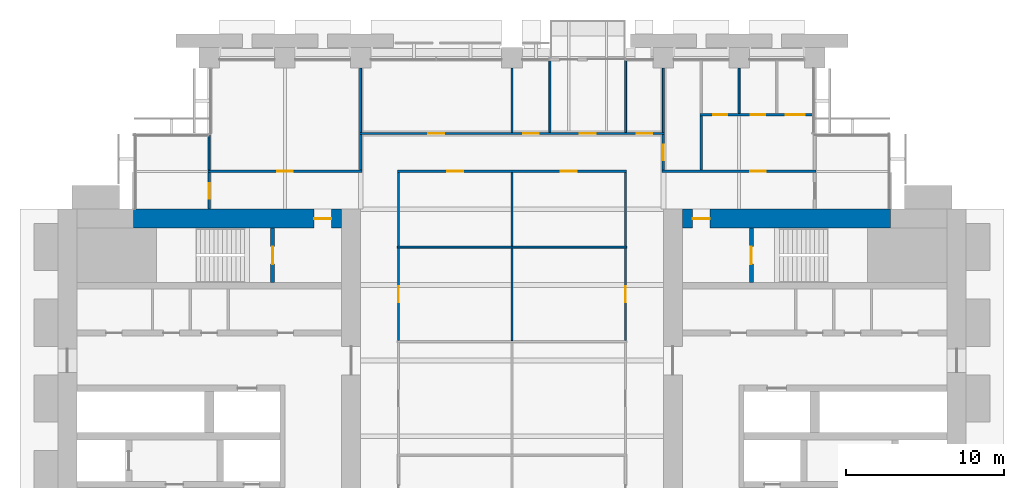
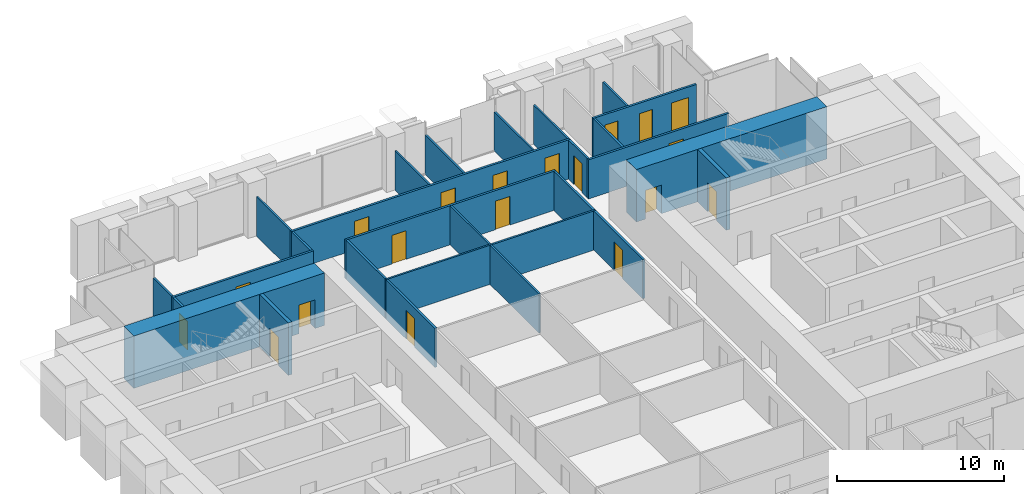
# One storey, part 12 of 15: 27 walls, 19 doors, 19 openings.
"""IFC4 building model written with IfcOpenShell, lengths in metres."""

from ifc_helpers import new_model, si_unit, direction, frame, frame_2d, origin, place, context, subcontext, project, spatial, rectangle, extrude, material, layer, layer_set, type_object, element, fill, save


model = new_model("IFC4")

# Units and contexts
model_context = context("Model", 3, precision=1e-05, world=origin(), true_north=direction((0.0, 1.0)))
body_context = subcontext(model_context, "Body", "Model", "MODEL_VIEW")
ifc_project = project(units=[si_unit("LENGTHUNIT", "METRE"), si_unit("AREAUNIT", "SQUARE_METRE"), si_unit("VOLUMEUNIT", "CUBIC_METRE"), si_unit("PLANEANGLEUNIT", "RADIAN"), si_unit("MASSUNIT", "GRAM", prefix="KILO")], contexts=[model_context])

# Site, building, storey
site_placement = place(None, origin())
site = spatial("IfcSite", under=ifc_project, at=site_placement, CompositionType="ELEMENT")
building_placement = place(site_placement, origin())
building = spatial("IfcBuilding", under=site, at=building_placement, Name="Baori Bourse Tower", CompositionType="ELEMENT")
storey_placement = place(building_placement, frame((0.0, 0.0, 59.0)))
storey = spatial("IfcBuildingStorey", under=building, at=storey_placement, Name="L12", CompositionType="ELEMENT", Elevation=59.0)

# Wall, opening, door
ifc_material_1 = material(Name="Concrete f'c 70 MPa", Category="concrete")
ifc_layer_1 = layer(ifc_material_1, 1.199951171875)
ifc_layer_set_1 = layer_set([ifc_layer_1], Name="Core wall 1200 f'c 70")
wall_type_1 = type_object("IfcWallType", Name="Core wall 1200 f'c 70", PredefinedType="SHEAR", material=ifc_layer_set_1)
wall_1_placement = place(storey_placement, frame((4.800048828125, 37.800048828125, 0.0), z_axis=(0.0, 0.0, 1.0), x_axis=(1.0, 0.0, 0.0)))
wall_1 = element("IfcWall", 1, at=wall_1_placement, inside=storey, type_object=wall_type_1, Name="Core wall W25", PredefinedType="SHEAR", context=body_context, shape_type="SweptSolid", body=[
    extrude(rectangle(XDim=13.199951171875, YDim=1.199951171875, at=frame_2d((6.60009765625, 0.0))), origin(), (0.0, 0.0, 1.0), 3.840087890625),
])
opening_1_placement = place(wall_1_placement, frame((11.449951171875, 0.0, 0.0)))
opening_1 = element("IfcOpeningElement", 2, at=opening_1_placement, cuts=wall_1, Name="Opening L12-D104", PredefinedType="OPENING", context=body_context, shape_type="SweptSolid", body=[
    extrude(rectangle(XDim=1.10009765625, YDim=2.10009765625, at=frame_2d((0.550048828125, 1.050048828125))), frame((0.0, 0.60986328125, 0.0), z_axis=(0.0, -1.0, 0.0), x_axis=(1.0, 0.0, 0.0)), (0.0, 0.0, 1.0), 1.219970703125),
])
ifc_material_2 = material(Name="Painted steel door", Category="steel")
door_type_1 = type_object("IfcDoorType", Name="Stair door 1100", OperationType="SINGLE_SWING_LEFT", PredefinedType="DOOR", material=ifc_material_2)
door_1_placement = place(opening_1_placement, origin())
door_1 = element("IfcDoor", 3, at=door_1_placement, inside=storey, type_object=door_type_1, Name="Stair vestibule door B W L12", OperationType="SINGLE_SWING_LEFT", OverallHeight=2.10009765625, OverallWidth=1.10009765625, PredefinedType="DOOR", context=body_context, shape_type="SweptSolid", body=[
    extrude(rectangle(XDim=1.10009765625, YDim=2.10009765625, at=frame_2d((0.550048828125, 1.050048828125))), frame((0.0, 0.02490234375, 0.0), z_axis=(0.0, -1.0, 0.0), x_axis=(1.0, 0.0, 0.0)), (0.0, 0.0, 1.0), 0.050048828125),
])
fill(opening_1, door_1)

wall_2_placement = place(storey_placement, frame((39.60009765625, 37.800048828125, 0.0), z_axis=(0.0, 0.0, 1.0), x_axis=(1.0, 0.0, 0.0)))
wall_2 = element("IfcWall", 4, at=wall_2_placement, inside=storey, type_object=wall_type_1, Name="Core wall E25", PredefinedType="SHEAR", context=body_context, shape_type="SweptSolid", body=[
    extrude(rectangle(XDim=13.199951171875, YDim=1.199951171875, at=frame_2d((6.60009765625, 0.0))), origin(), (0.0, 0.0, 1.0), 3.840087890625),
])
opening_2_placement = place(wall_2_placement, frame((0.64990234375, 0.0, 0.0)))
opening_2 = element("IfcOpeningElement", 5, at=opening_2_placement, cuts=wall_2, Name="Opening L12-D204", PredefinedType="OPENING", context=body_context, shape_type="SweptSolid", body=[
    extrude(rectangle(XDim=1.10009765625, YDim=2.10009765625, at=frame_2d((0.550048828125, 1.050048828125))), frame((0.0, 0.60986328125, 0.0), z_axis=(0.0, -1.0, 0.0), x_axis=(1.0, 0.0, 0.0)), (0.0, 0.0, 1.0), 1.219970703125),
])
door_2_placement = place(opening_2_placement, origin())
door_2 = element("IfcDoor", 6, at=door_2_placement, inside=storey, type_object=door_type_1, Name="Stair vestibule door B E L12", OperationType="SINGLE_SWING_LEFT", OverallHeight=2.10009765625, OverallWidth=1.10009765625, PredefinedType="DOOR", context=body_context, shape_type="SweptSolid", body=[
    extrude(rectangle(XDim=1.10009765625, YDim=2.10009765625, at=frame_2d((0.550048828125, 1.050048828125))), frame((0.0, 0.02490234375, 0.0), z_axis=(0.0, -1.0, 0.0), x_axis=(1.0, 0.0, 0.0)), (0.0, 0.0, 1.0), 0.050048828125),
])
fill(opening_2, door_2)

ifc_material_3 = material(Name="Gypsum board partition")
ifc_layer_2 = layer(ifc_material_3, 0.14990234375)
ifc_layer_set_2 = layer_set([ifc_layer_2], Name="Corridor partition 150")
wall_type_2 = type_object("IfcWallType", Name="Corridor partition 150", PredefinedType="PARTITIONING", material=ifc_layer_set_2)
wall_3_placement = place(storey_placement, frame((9.52490234375, 40.800048828125, 0.0), z_axis=(0.0, 0.0, 1.0), x_axis=(1.0, 0.0, 0.0)))
wall_3 = element("IfcWall", 7, at=wall_3_placement, inside=storey, type_object=wall_type_2, Name="Partition", PredefinedType="PARTITIONING", context=body_context, shape_type="SweptSolid", body=[
    extrude(rectangle(XDim=9.75, YDim=0.14990234375, at=frame_2d((4.875, 0.0))), origin(), (0.0, 0.0, 1.0), 2.86962890625),
])
opening_3_placement = place(wall_3_placement, frame((4.375, 0.0, 0.0)))
opening_3 = element("IfcOpeningElement", 8, at=opening_3_placement, cuts=wall_3, Name="Opening L12-D10", PredefinedType="OPENING", context=body_context, shape_type="SweptSolid", body=[
    extrude(rectangle(XDim=1.0, YDim=2.10009765625, at=frame_2d((0.5, 1.050048828125))), frame((0.0, 0.0849609375, 0.0), z_axis=(0.0, -1.0, 0.0), x_axis=(1.0, 0.0, 0.0)), (0.0, 0.0, 1.0), 0.169921875),
])
ifc_material_4 = material(Name="Timber door leaf", Category="wood")
door_type_2 = type_object("IfcDoorType", Name="Door 1000 x 2100", OperationType="SINGLE_SWING_LEFT", PredefinedType="DOOR", material=ifc_material_4)
door_3_placement = place(opening_3_placement, origin())
door_3 = element("IfcDoor", 9, at=door_3_placement, inside=storey, type_object=door_type_2, Name="Door", OperationType="SINGLE_SWING_LEFT", OverallHeight=2.10009765625, OverallWidth=1.0, PredefinedType="DOOR", context=body_context, shape_type="SweptSolid", body=[
    extrude(rectangle(XDim=1.0, YDim=2.10009765625, at=frame_2d((0.5, 1.050048828125))), frame((0.0, 0.02490234375, 0.0), z_axis=(0.0, -1.0, 0.0), x_axis=(1.0, 0.0, 0.0)), (0.0, 0.0, 1.0), 0.050048828125),
])
fill(opening_3, door_3)

# Wall, openings, doors
wall_4_placement = place(storey_placement, frame((21.52490234375, 40.800048828125, 0.0), z_axis=(0.0, 0.0, 1.0), x_axis=(1.0, 0.0, 0.0)))
wall_4 = element("IfcWall", 10, at=wall_4_placement, inside=storey, type_object=wall_type_2, Name="Partition", PredefinedType="PARTITIONING", context=body_context, shape_type="SweptSolid", body=[
    extrude(rectangle(XDim=14.550048828125, YDim=0.14990234375, at=frame_2d((7.27490234375, 0.0))), origin(), (0.0, 0.0, 1.0), 2.86962890625),
])
opening_4_placement = place(wall_4_placement, frame((3.175048828125, 0.0, 0.0)))
opening_4 = element("IfcOpeningElement", 11, at=opening_4_placement, cuts=wall_4, Name="Opening L12-D11", PredefinedType="OPENING", context=body_context, shape_type="SweptSolid", body=[
    extrude(rectangle(XDim=1.0, YDim=2.10009765625, at=frame_2d((0.5, 1.050048828125))), frame((0.0, 0.0849609375, 0.0), z_axis=(0.0, -1.0, 0.0), x_axis=(1.0, 0.0, 0.0)), (0.0, 0.0, 1.0), 0.169921875),
])
opening_5_placement = place(wall_4_placement, frame((10.375, 0.0, 0.0)))
opening_5 = element("IfcOpeningElement", 12, at=opening_5_placement, cuts=wall_4, Name="Opening L12-D12", PredefinedType="OPENING", context=body_context, shape_type="SweptSolid", body=[
    extrude(rectangle(XDim=1.0, YDim=2.10009765625, at=frame_2d((0.5, 1.050048828125))), frame((0.0, 0.0849609375, 0.0), z_axis=(0.0, -1.0, 0.0), x_axis=(1.0, 0.0, 0.0)), (0.0, 0.0, 1.0), 0.169921875),
])
door_4_placement = place(opening_4_placement, origin())
door_4 = element("IfcDoor", 13, at=door_4_placement, inside=storey, type_object=door_type_2, Name="Door", OperationType="SINGLE_SWING_LEFT", OverallHeight=2.10009765625, OverallWidth=1.0, PredefinedType="DOOR", context=body_context, shape_type="SweptSolid", body=[
    extrude(rectangle(XDim=1.0, YDim=2.10009765625, at=frame_2d((0.5, 1.050048828125))), frame((0.0, 0.02490234375, 0.0), z_axis=(0.0, -1.0, 0.0), x_axis=(1.0, 0.0, 0.0)), (0.0, 0.0, 1.0), 0.050048828125),
])
fill(opening_4, door_4)
door_5_placement = place(opening_5_placement, origin())
door_5 = element("IfcDoor", 14, at=door_5_placement, inside=storey, type_object=door_type_2, Name="Door", OperationType="SINGLE_SWING_RIGHT", OverallHeight=2.10009765625, OverallWidth=1.0, PredefinedType="DOOR", context=body_context, shape_type="SweptSolid", body=[
    extrude(rectangle(XDim=1.0, YDim=2.10009765625, at=frame_2d((0.5, 1.050048828125))), frame((0.0, 0.02490234375, 0.0), z_axis=(0.0, -1.0, 0.0), x_axis=(1.0, 0.0, 0.0)), (0.0, 0.0, 1.0), 0.050048828125),
])
fill(opening_5, door_5)

# Wall, opening, door
wall_5_placement = place(storey_placement, frame((38.324951171875, 40.800048828125, 0.0), z_axis=(0.0, 0.0, 1.0), x_axis=(1.0, 0.0, 0.0)))
wall_5 = element("IfcWall", 15, at=wall_5_placement, inside=storey, type_object=wall_type_2, Name="Partition", PredefinedType="PARTITIONING", context=body_context, shape_type="SweptSolid", body=[
    extrude(rectangle(XDim=9.75, YDim=0.14990234375, at=frame_2d((4.875, 0.0))), origin(), (0.0, 0.0, 1.0), 2.86962890625),
])
opening_6_placement = place(wall_5_placement, frame((5.574951171875, 0.0, 0.0)))
opening_6 = element("IfcOpeningElement", 16, at=opening_6_placement, cuts=wall_5, Name="Opening L12-D13", PredefinedType="OPENING", context=body_context, shape_type="SweptSolid", body=[
    extrude(rectangle(XDim=1.0, YDim=2.10009765625, at=frame_2d((0.5, 1.050048828125))), frame((0.0, 0.0849609375, 0.0), z_axis=(0.0, -1.0, 0.0), x_axis=(1.0, 0.0, 0.0)), (0.0, 0.0, 1.0), 0.169921875),
])
door_6_placement = place(opening_6_placement, origin())
door_6 = element("IfcDoor", 17, at=door_6_placement, inside=storey, type_object=door_type_2, Name="Door", OperationType="SINGLE_SWING_RIGHT", OverallHeight=2.10009765625, OverallWidth=1.0, PredefinedType="DOOR", context=body_context, shape_type="SweptSolid", body=[
    extrude(rectangle(XDim=1.0, YDim=2.10009765625, at=frame_2d((0.5, 1.050048828125))), frame((0.0, 0.02490234375, 0.0), z_axis=(0.0, -1.0, 0.0), x_axis=(1.0, 0.0, 0.0)), (0.0, 0.0, 1.0), 0.050048828125),
])
fill(opening_6, door_6)

# Wall, openings, doors
wall_6_placement = place(storey_placement, frame((19.125, 43.199951171875, 0.0), z_axis=(0.0, 0.0, 1.0), x_axis=(1.0, 0.0, 0.0)))
wall_6 = element("IfcWall", 18, at=wall_6_placement, inside=storey, type_object=wall_type_2, Name="Partition", PredefinedType="PARTITIONING", context=body_context, shape_type="SweptSolid", body=[
    extrude(rectangle(XDim=19.35009765625, YDim=0.14990234375, at=frame_2d((9.675048828125, 0.0))), origin(), (0.0, 0.0, 1.0), 2.86962890625),
])
opening_7_placement = place(wall_6_placement, frame((4.375, 0.0, 0.0)))
opening_7 = element("IfcOpeningElement", 19, at=opening_7_placement, cuts=wall_6, Name="Opening L12-D14", PredefinedType="OPENING", context=body_context, shape_type="SweptSolid", body=[
    extrude(rectangle(XDim=1.0, YDim=2.10009765625, at=frame_2d((0.5, 1.050048828125))), frame((0.0, 0.0849609375, 0.0), z_axis=(0.0, -1.0, 0.0), x_axis=(1.0, 0.0, 0.0)), (0.0, 0.0, 1.0), 0.169921875),
])
opening_8_placement = place(wall_6_placement, frame((10.375, 0.0, 0.0)))
opening_8 = element("IfcOpeningElement", 20, at=opening_8_placement, cuts=wall_6, Name="Opening L12-D15", PredefinedType="OPENING", context=body_context, shape_type="SweptSolid", body=[
    extrude(rectangle(XDim=1.0, YDim=2.10009765625, at=frame_2d((0.5, 1.050048828125))), frame((0.0, 0.0849609375, 0.0), z_axis=(0.0, -1.0, 0.0), x_axis=(1.0, 0.0, 0.0)), (0.0, 0.0, 1.0), 0.169921875),
])
opening_9_placement = place(wall_6_placement, frame((13.97509765625, 0.0, 0.0)))
opening_9 = element("IfcOpeningElement", 21, at=opening_9_placement, cuts=wall_6, Name="Opening L12-D16", PredefinedType="OPENING", context=body_context, shape_type="SweptSolid", body=[
    extrude(rectangle(XDim=1.0, YDim=2.10009765625, at=frame_2d((0.5, 1.050048828125))), frame((0.0, 0.0849609375, 0.0), z_axis=(0.0, -1.0, 0.0), x_axis=(1.0, 0.0, 0.0)), (0.0, 0.0, 1.0), 0.169921875),
])
opening_10_placement = place(wall_6_placement, frame((17.574951171875, 0.0, 0.0)))
opening_10 = element("IfcOpeningElement", 22, at=opening_10_placement, cuts=wall_6, Name="Opening L12-D17", PredefinedType="OPENING", context=body_context, shape_type="SweptSolid", body=[
    extrude(rectangle(XDim=1.0, YDim=2.10009765625, at=frame_2d((0.5, 1.050048828125))), frame((0.0, 0.0849609375, 0.0), z_axis=(0.0, -1.0, 0.0), x_axis=(1.0, 0.0, 0.0)), (0.0, 0.0, 1.0), 0.169921875),
])
door_7_placement = place(opening_7_placement, origin())
door_7 = element("IfcDoor", 23, at=door_7_placement, inside=storey, type_object=door_type_2, Name="Door", OperationType="SINGLE_SWING_RIGHT", OverallHeight=2.10009765625, OverallWidth=1.0, PredefinedType="DOOR", context=body_context, shape_type="SweptSolid", body=[
    extrude(rectangle(XDim=1.0, YDim=2.10009765625, at=frame_2d((0.5, 1.050048828125))), frame((0.0, 0.02490234375, 0.0), z_axis=(0.0, -1.0, 0.0), x_axis=(1.0, 0.0, 0.0)), (0.0, 0.0, 1.0), 0.050048828125),
])
fill(opening_7, door_7)
door_8_placement = place(opening_8_placement, origin())
door_8 = element("IfcDoor", 24, at=door_8_placement, inside=storey, type_object=door_type_2, Name="Door", OperationType="SINGLE_SWING_LEFT", OverallHeight=2.10009765625, OverallWidth=1.0, PredefinedType="DOOR", context=body_context, shape_type="SweptSolid", body=[
    extrude(rectangle(XDim=1.0, YDim=2.10009765625, at=frame_2d((0.5, 1.050048828125))), frame((0.0, 0.02490234375, 0.0), z_axis=(0.0, -1.0, 0.0), x_axis=(1.0, 0.0, 0.0)), (0.0, 0.0, 1.0), 0.050048828125),
])
fill(opening_8, door_8)
door_9_placement = place(opening_9_placement, origin())
door_9 = element("IfcDoor", 25, at=door_9_placement, inside=storey, type_object=door_type_2, Name="Door", OperationType="SINGLE_SWING_LEFT", OverallHeight=2.10009765625, OverallWidth=1.0, PredefinedType="DOOR", context=body_context, shape_type="SweptSolid", body=[
    extrude(rectangle(XDim=1.0, YDim=2.10009765625, at=frame_2d((0.5, 1.050048828125))), frame((0.0, 0.02490234375, 0.0), z_axis=(0.0, -1.0, 0.0), x_axis=(1.0, 0.0, 0.0)), (0.0, 0.0, 1.0), 0.050048828125),
])
fill(opening_9, door_9)
door_10_placement = place(opening_10_placement, origin())
door_10 = element("IfcDoor", 26, at=door_10_placement, inside=storey, type_object=door_type_2, Name="Door", OperationType="SINGLE_SWING_LEFT", OverallHeight=2.10009765625, OverallWidth=1.0, PredefinedType="DOOR", context=body_context, shape_type="SweptSolid", body=[
    extrude(rectangle(XDim=1.0, YDim=2.10009765625, at=frame_2d((0.5, 1.050048828125))), frame((0.0, 0.02490234375, 0.0), z_axis=(0.0, -1.0, 0.0), x_axis=(1.0, 0.0, 0.0)), (0.0, 0.0, 1.0), 0.050048828125),
])
fill(opening_10, door_10)

wall_7_placement = place(storey_placement, frame((40.72509765625, 44.39990234375, 0.0), z_axis=(0.0, 0.0, 1.0), x_axis=(1.0, 0.0, 0.0)))
wall_7 = element("IfcWall", 27, at=wall_7_placement, inside=storey, type_object=wall_type_2, Name="Partition", PredefinedType="PARTITIONING", context=body_context, shape_type="SweptSolid", body=[
    extrude(rectangle(XDim=7.1748046875, YDim=0.14990234375, at=frame_2d((3.58740234375, 0.0))), origin(), (0.0, 0.0, 1.0), 2.86962890625),
])
opening_11_placement = place(wall_7_placement, frame((0.824951171875, 0.0, 0.0)))
opening_11 = element("IfcOpeningElement", 28, at=opening_11_placement, cuts=wall_7, Name="Opening L12-D18", PredefinedType="OPENING", context=body_context, shape_type="SweptSolid", body=[
    extrude(rectangle(XDim=0.89990234375, YDim=2.10009765625, at=frame_2d((0.449951171875, 1.050048828125))), frame((0.0, 0.0849609375, 0.0), z_axis=(0.0, -1.0, 0.0), x_axis=(1.0, 0.0, 0.0)), (0.0, 0.0, 1.0), 0.169921875),
])
opening_12_placement = place(wall_7_placement, frame((3.22509765625, 0.0, 0.0)))
opening_12 = element("IfcOpeningElement", 29, at=opening_12_placement, cuts=wall_7, Name="Opening L12-D19", PredefinedType="OPENING", context=body_context, shape_type="SweptSolid", body=[
    extrude(rectangle(XDim=0.89990234375, YDim=2.10009765625, at=frame_2d((0.449951171875, 1.050048828125))), frame((0.0, 0.0849609375, 0.0), z_axis=(0.0, -1.0, 0.0), x_axis=(1.0, 0.0, 0.0)), (0.0, 0.0, 1.0), 0.169921875),
])
opening_13_placement = place(wall_7_placement, frame((5.425048828125, 0.0, 0.0)))
opening_13 = element("IfcOpeningElement", 30, at=opening_13_placement, cuts=wall_7, Name="Opening L12-D20", PredefinedType="OPENING", context=body_context, shape_type="SweptSolid", body=[
    extrude(rectangle(XDim=1.199951171875, YDim=2.10009765625, at=frame_2d((0.60009765625, 1.050048828125))), frame((0.0, 0.0849609375, 0.0), z_axis=(0.0, -1.0, 0.0), x_axis=(1.0, 0.0, 0.0)), (0.0, 0.0, 1.0), 0.169921875),
])
ifc_material_5 = material(Name="Timber door leaf", Category="wood")
door_type_3 = type_object("IfcDoorType", Name="Door 1200 x 2100", OperationType="SINGLE_SWING_LEFT", PredefinedType="DOOR", material=ifc_material_5)
door_11_placement = place(opening_13_placement, origin())
door_11 = element("IfcDoor", 31, at=door_11_placement, inside=storey, type_object=door_type_3, Name="Door", OperationType="SINGLE_SWING_LEFT", OverallHeight=2.10009765625, OverallWidth=1.199951171875, PredefinedType="DOOR", context=body_context, shape_type="SweptSolid", body=[
    extrude(rectangle(XDim=1.199951171875, YDim=2.10009765625, at=frame_2d((0.60009765625, 1.050048828125))), frame((0.0, 0.02490234375, 0.0), z_axis=(0.0, -1.0, 0.0), x_axis=(1.0, 0.0, 0.0)), (0.0, 0.0, 1.0), 0.050048828125),
])
fill(opening_13, door_11)
ifc_material_6 = material(Name="Timber door leaf", Category="wood")
door_type_4 = type_object("IfcDoorType", Name="Door 900 x 2100", OperationType="SINGLE_SWING_LEFT", PredefinedType="DOOR", material=ifc_material_6)
door_12_placement = place(opening_11_placement, origin())
door_12 = element("IfcDoor", 32, at=door_12_placement, inside=storey, type_object=door_type_4, Name="Door", OperationType="SINGLE_SWING_RIGHT", OverallHeight=2.10009765625, OverallWidth=0.89990234375, PredefinedType="DOOR", context=body_context, shape_type="SweptSolid", body=[
    extrude(rectangle(XDim=0.89990234375, YDim=2.10009765625, at=frame_2d((0.449951171875, 1.050048828125))), frame((0.0, 0.02490234375, 0.0), z_axis=(0.0, -1.0, 0.0), x_axis=(1.0, 0.0, 0.0)), (0.0, 0.0, 1.0), 0.050048828125),
])
fill(opening_11, door_12)
door_13_placement = place(opening_12_placement, origin())
door_13 = element("IfcDoor", 33, at=door_13_placement, inside=storey, type_object=door_type_4, Name="Door", OperationType="SINGLE_SWING_LEFT", OverallHeight=2.10009765625, OverallWidth=0.89990234375, PredefinedType="DOOR", context=body_context, shape_type="SweptSolid", body=[
    extrude(rectangle(XDim=0.89990234375, YDim=2.10009765625, at=frame_2d((0.449951171875, 1.050048828125))), frame((0.0, 0.02490234375, 0.0), z_axis=(0.0, -1.0, 0.0), x_axis=(1.0, 0.0, 0.0)), (0.0, 0.0, 1.0), 0.050048828125),
])
fill(opening_12, door_13)

# Wall, opening, door
wall_8_placement = place(storey_placement, frame((9.60009765625, 38.39990234375, 0.0), z_axis=(0.0, 0.0, 1.0), x_axis=(0.0, 1.0, 0.0)))
wall_8 = element("IfcWall", 34, at=wall_8_placement, inside=storey, type_object=wall_type_2, Name="Partition", PredefinedType="PARTITIONING", context=body_context, shape_type="SweptSolid", body=[
    extrude(rectangle(XDim=2.3251953125, YDim=0.14990234375, at=frame_2d((1.16259765625, 0.0))), origin(), (0.0, 0.0, 1.0), 2.86962890625),
])
opening_14_placement = place(wall_8_placement, frame((0.66259765625, 0.0, 0.0)))
opening_14 = element("IfcOpeningElement", 35, at=opening_14_placement, cuts=wall_8, Name="Opening L12-D22", PredefinedType="OPENING", context=body_context, shape_type="SweptSolid", body=[
    extrude(rectangle(XDim=1.0, YDim=2.10009765625, at=frame_2d((0.5, 1.050048828125))), frame((0.0, 0.0849609375, 0.0), z_axis=(0.0, -1.0, 0.0), x_axis=(1.0, 0.0, 0.0)), (0.0, 0.0, 1.0), 0.169921875),
])
door_14_placement = place(opening_14_placement, origin())
door_14 = element("IfcDoor", 36, at=door_14_placement, inside=storey, type_object=door_type_2, Name="Door", OperationType="SINGLE_SWING_RIGHT", OverallHeight=2.10009765625, OverallWidth=1.0, PredefinedType="DOOR", context=body_context, shape_type="SweptSolid", body=[
    extrude(rectangle(XDim=1.0, YDim=2.10009765625, at=frame_2d((0.5, 1.050048828125))), frame((0.0, 0.02490234375, 0.0), z_axis=(0.0, -1.0, 0.0), x_axis=(1.0, 0.0, 0.0)), (0.0, 0.0, 1.0), 0.050048828125),
])
fill(opening_14, door_14)

# Wall
wall_9_placement = place(storey_placement, frame((19.199951171875, 40.875, 0.0), z_axis=(0.0, 0.0, 1.0), x_axis=(0.0, 1.0, 0.0)))
element("IfcWall", 37, at=wall_9_placement, inside=storey, type_object=wall_type_2, Name="Partition", PredefinedType="PARTITIONING", context=body_context, shape_type="SweptSolid", body=[
    extrude(rectangle(XDim=2.25, YDim=0.14990234375, at=frame_2d((1.125, 0.0))), origin(), (0.0, 0.0, 1.0), 2.86962890625),
])

# Wall, opening, door
wall_10_placement = place(storey_placement, frame((21.60009765625, 30.0625, 0.0), z_axis=(0.0, 0.0, 1.0), x_axis=(0.0, 1.0, 0.0)))
wall_10 = element("IfcWall", 38, at=wall_10_placement, inside=storey, type_object=wall_type_2, Name="Partition", PredefinedType="PARTITIONING", context=body_context, shape_type="SweptSolid", body=[
    extrude(rectangle(XDim=5.875, YDim=0.14990234375, at=frame_2d((2.9375, 0.0))), origin(), (0.0, 0.0, 1.0), 2.86962890625),
])
opening_15_placement = place(wall_10_placement, frame((2.4375, 0.0, 0.0)))
opening_15 = element("IfcOpeningElement", 39, at=opening_15_placement, cuts=wall_10, Name="Opening L12-D26", PredefinedType="OPENING", context=body_context, shape_type="SweptSolid", body=[
    extrude(rectangle(XDim=1.0, YDim=2.10009765625, at=frame_2d((0.5, 1.050048828125))), frame((0.0, 0.0849609375, 0.0), z_axis=(0.0, -1.0, 0.0), x_axis=(1.0, 0.0, 0.0)), (0.0, 0.0, 1.0), 0.169921875),
])
door_15_placement = place(opening_15_placement, origin())
door_15 = element("IfcDoor", 40, at=door_15_placement, inside=storey, type_object=door_type_2, Name="Door", OperationType="SINGLE_SWING_LEFT", OverallHeight=2.10009765625, OverallWidth=1.0, PredefinedType="DOOR", context=body_context, shape_type="SweptSolid", body=[
    extrude(rectangle(XDim=1.0, YDim=2.10009765625, at=frame_2d((0.5, 1.050048828125))), frame((0.0, 0.02490234375, 0.0), z_axis=(0.0, -1.0, 0.0), x_axis=(1.0, 0.0, 0.0)), (0.0, 0.0, 1.0), 0.050048828125),
])
fill(opening_15, door_15)

# Wall
wall_11_placement = place(storey_placement, frame((21.60009765625, 36.0625, 0.0), z_axis=(0.0, 0.0, 1.0), x_axis=(0.0, 1.0, 0.0)))
element("IfcWall", 41, at=wall_11_placement, inside=storey, type_object=wall_type_2, Name="Partition", PredefinedType="PARTITIONING", context=body_context, shape_type="SweptSolid", body=[
    extrude(rectangle(XDim=4.66259765625, YDim=0.14990234375, at=frame_2d((2.331298828125, 0.0))), origin(), (0.0, 0.0, 1.0), 2.86962890625),
])

# Wall, opening, door
wall_12_placement = place(storey_placement, frame((36.0, 30.0625, 0.0), z_axis=(0.0, 0.0, 1.0), x_axis=(0.0, 1.0, 0.0)))
wall_12 = element("IfcWall", 42, at=wall_12_placement, inside=storey, type_object=wall_type_2, Name="Partition", PredefinedType="PARTITIONING", context=body_context, shape_type="SweptSolid", body=[
    extrude(rectangle(XDim=5.875, YDim=0.14990234375, at=frame_2d((2.9375, 0.0))), origin(), (0.0, 0.0, 1.0), 2.86962890625),
])
opening_16_placement = place(wall_12_placement, frame((2.4375, 0.0, 0.0)))
opening_16 = element("IfcOpeningElement", 43, at=opening_16_placement, cuts=wall_12, Name="Opening L12-D30", PredefinedType="OPENING", context=body_context, shape_type="SweptSolid", body=[
    extrude(rectangle(XDim=1.0, YDim=2.10009765625, at=frame_2d((0.5, 1.050048828125))), frame((0.0, 0.0849609375, 0.0), z_axis=(0.0, -1.0, 0.0), x_axis=(1.0, 0.0, 0.0)), (0.0, 0.0, 1.0), 0.169921875),
])
door_16_placement = place(opening_16_placement, origin())
door_16 = element("IfcDoor", 44, at=door_16_placement, inside=storey, type_object=door_type_2, Name="Door", OperationType="SINGLE_SWING_RIGHT", OverallHeight=2.10009765625, OverallWidth=1.0, PredefinedType="DOOR", context=body_context, shape_type="SweptSolid", body=[
    extrude(rectangle(XDim=1.0, YDim=2.10009765625, at=frame_2d((0.5, 1.050048828125))), frame((0.0, 0.02490234375, 0.0), z_axis=(0.0, -1.0, 0.0), x_axis=(1.0, 0.0, 0.0)), (0.0, 0.0, 1.0), 0.050048828125),
])
fill(opening_16, door_16)

# Wall
wall_13_placement = place(storey_placement, frame((36.0, 36.0625, 0.0), z_axis=(0.0, 0.0, 1.0), x_axis=(0.0, 1.0, 0.0)))
element("IfcWall", 45, at=wall_13_placement, inside=storey, type_object=wall_type_2, Name="Partition", PredefinedType="PARTITIONING", context=body_context, shape_type="SweptSolid", body=[
    extrude(rectangle(XDim=4.66259765625, YDim=0.14990234375, at=frame_2d((2.331298828125, 0.0))), origin(), (0.0, 0.0, 1.0), 2.86962890625),
])

# Wall, opening, door
wall_14_placement = place(storey_placement, frame((38.39990234375, 40.875, 0.0), z_axis=(0.0, 0.0, 1.0), x_axis=(0.0, 1.0, 0.0)))
wall_14 = element("IfcWall", 46, at=wall_14_placement, inside=storey, type_object=wall_type_2, Name="Partition", PredefinedType="PARTITIONING", context=body_context, shape_type="SweptSolid", body=[
    extrude(rectangle(XDim=2.25, YDim=0.14990234375, at=frame_2d((1.125, 0.0))), origin(), (0.0, 0.0, 1.0), 2.86962890625),
])
opening_17_placement = place(wall_14_placement, frame((0.625, 0.0, 0.0)))
opening_17 = element("IfcOpeningElement", 47, at=opening_17_placement, cuts=wall_14, Name="Opening L12-D32", PredefinedType="OPENING", context=body_context, shape_type="SweptSolid", body=[
    extrude(rectangle(XDim=1.0, YDim=2.10009765625, at=frame_2d((0.5, 1.050048828125))), frame((0.0, 0.0849609375, 0.0), z_axis=(0.0, -1.0, 0.0), x_axis=(1.0, 0.0, 0.0)), (0.0, 0.0, 1.0), 0.169921875),
])
door_17_placement = place(opening_17_placement, origin())
door_17 = element("IfcDoor", 48, at=door_17_placement, inside=storey, type_object=door_type_2, Name="Door", OperationType="SINGLE_SWING_LEFT", OverallHeight=2.10009765625, OverallWidth=1.0, PredefinedType="DOOR", context=body_context, shape_type="SweptSolid", body=[
    extrude(rectangle(XDim=1.0, YDim=2.10009765625, at=frame_2d((0.5, 1.050048828125))), frame((0.0, 0.02490234375, 0.0), z_axis=(0.0, -1.0, 0.0), x_axis=(1.0, 0.0, 0.0)), (0.0, 0.0, 1.0), 0.050048828125),
])
fill(opening_17, door_17)

# Walls
wall_15_placement = place(storey_placement, frame((40.800048828125, 40.875, 0.0), z_axis=(0.0, 0.0, 1.0), x_axis=(0.0, 1.0, 0.0)))
element("IfcWall", 49, at=wall_15_placement, inside=storey, type_object=wall_type_2, Name="Partition", PredefinedType="PARTITIONING", context=body_context, shape_type="SweptSolid", body=[
    extrude(rectangle(XDim=3.449951171875, YDim=0.14990234375, at=frame_2d((1.72509765625, 0.0))), origin(), (0.0, 0.0, 1.0), 2.86962890625),
])
ifc_material_7 = material(Name="Gypsum board partition")
ifc_layer_3 = layer(ifc_material_7, 0.125)
ifc_layer_set_3 = layer_set([ifc_layer_3], Name="Partition 125")
wall_type_3 = type_object("IfcWallType", Name="Partition 125", PredefinedType="PARTITIONING", material=ifc_layer_set_3)
wall_16_placement = place(storey_placement, frame((21.52490234375, 36.0, 0.0), z_axis=(0.0, 0.0, 1.0), x_axis=(1.0, 0.0, 0.0)))
element("IfcWall", 50, at=wall_16_placement, inside=storey, type_object=wall_type_3, Name="Partition", PredefinedType="PARTITIONING", context=body_context, shape_type="SweptSolid", body=[
    extrude(rectangle(XDim=14.550048828125, YDim=0.125, at=frame_2d((7.27490234375, 0.0))), origin(), (0.0, 0.0, 1.0), 2.86962890625),
])
wall_17_placement = place(storey_placement, frame((9.60009765625, 40.875, 0.0), z_axis=(0.0, 0.0, 1.0), x_axis=(0.0, 1.0, 0.0)))
element("IfcWall", 51, at=wall_17_placement, inside=storey, type_object=wall_type_3, Name="Partition", PredefinedType="PARTITIONING", context=body_context, shape_type="SweptSolid", body=[
    extrude(rectangle(XDim=2.22509765625, YDim=0.125, at=frame_2d((1.112548828125, 0.0))), origin(), (0.0, 0.0, 1.0), 2.86962890625),
])
wall_18_placement = place(storey_placement, frame((19.199951171875, 43.27490234375, 0.0), z_axis=(0.0, 0.0, 1.0), x_axis=(0.0, 1.0, 0.0)))
element("IfcWall", 52, at=wall_18_placement, inside=storey, type_object=wall_type_3, Name="Partition", PredefinedType="PARTITIONING", context=body_context, shape_type="SweptSolid", body=[
    extrude(rectangle(XDim=4.0751953125, YDim=0.125, at=frame_2d((2.03759765625, 0.0))), origin(), (0.0, 0.0, 1.0), 2.86962890625),
])
wall_19_placement = place(storey_placement, frame((28.800048828125, 30.0625, 0.0), z_axis=(0.0, 0.0, 1.0), x_axis=(0.0, 1.0, 0.0)))
element("IfcWall", 53, at=wall_19_placement, inside=storey, type_object=wall_type_3, Name="Partition", PredefinedType="PARTITIONING", context=body_context, shape_type="SweptSolid", body=[
    extrude(rectangle(XDim=5.875, YDim=0.125, at=frame_2d((2.9375, 0.0))), origin(), (0.0, 0.0, 1.0), 2.86962890625),
])
wall_20_placement = place(storey_placement, frame((28.800048828125, 36.0625, 0.0), z_axis=(0.0, 0.0, 1.0), x_axis=(0.0, 1.0, 0.0)))
element("IfcWall", 54, at=wall_20_placement, inside=storey, type_object=wall_type_3, Name="Partition", PredefinedType="PARTITIONING", context=body_context, shape_type="SweptSolid", body=[
    extrude(rectangle(XDim=4.66259765625, YDim=0.125, at=frame_2d((2.331298828125, 0.0))), origin(), (0.0, 0.0, 1.0), 2.86962890625),
])
wall_21_placement = place(storey_placement, frame((28.800048828125, 43.27490234375, 0.0), z_axis=(0.0, 0.0, 1.0), x_axis=(0.0, 1.0, 0.0)))
element("IfcWall", 55, at=wall_21_placement, inside=storey, type_object=wall_type_3, Name="Partition", PredefinedType="PARTITIONING", context=body_context, shape_type="SweptSolid", body=[
    extrude(rectangle(XDim=4.0751953125, YDim=0.125, at=frame_2d((2.03759765625, 0.0))), origin(), (0.0, 0.0, 1.0), 2.86962890625),
])
for number, where, z_axis, x_axis, name in (
    (56, (31.199951171875, 43.27490234375, 0.0), (0.0, 0.0, 1.0), (0.0, 1.0, 0.0), "Partition"),
    (57, (36.0, 43.27490234375, 0.0), (0.0, 0.0, 1.0), (0.0, 1.0, 0.0), "Partition"),
):
    element("IfcWall", number, at=place(storey_placement, frame(where, z_axis=z_axis, x_axis=x_axis)), inside=storey, type_object=wall_type_3, Name=name, PredefinedType="PARTITIONING", context=body_context, shape_type="SweptSolid", body=[
        extrude(rectangle(XDim=4.625, YDim=0.125, at=frame_2d((2.3125, 0.0))), origin(), (0.0, 0.0, 1.0), 2.86962890625),
    ])
wall_22_placement = place(storey_placement, frame((38.39990234375, 43.27490234375, 0.0), z_axis=(0.0, 0.0, 1.0), x_axis=(0.0, 1.0, 0.0)))
element("IfcWall", 58, at=wall_22_placement, inside=storey, type_object=wall_type_3, Name="Partition", PredefinedType="PARTITIONING", context=body_context, shape_type="SweptSolid", body=[
    extrude(rectangle(XDim=4.0751953125, YDim=0.125, at=frame_2d((2.03759765625, 0.0))), origin(), (0.0, 0.0, 1.0), 2.86962890625),
])
wall_23_placement = place(storey_placement, frame((43.199951171875, 44.47509765625, 0.0), z_axis=(0.0, 0.0, 1.0), x_axis=(0.0, 1.0, 0.0)))
element("IfcWall", 59, at=wall_23_placement, inside=storey, type_object=wall_type_3, Name="Partition", PredefinedType="PARTITIONING", context=body_context, shape_type="SweptSolid", body=[
    extrude(rectangle(XDim=2.875, YDim=0.125, at=frame_2d((1.4375, 0.0))), origin(), (0.0, 0.0, 1.0), 2.86962890625),
])

# Wall, opening, door
ifc_material_8 = material(Name="Concrete f'c 70 MPa", Category="concrete")
ifc_layer_4 = layer(ifc_material_8, 0.25)
ifc_layer_set_4 = layer_set([ifc_layer_4], Name="Shaft wall 250 f'c 70")
wall_type_4 = type_object("IfcWallType", Name="Shaft wall 250 f'c 70", PredefinedType="SHEAR", material=ifc_layer_set_4)
wall_24_placement = place(storey_placement, frame((13.625, 33.75, 0.0), z_axis=(0.0, 0.0, 1.0), x_axis=(0.0, 1.0, 0.0)))
wall_24 = element("IfcWall", 60, at=wall_24_placement, inside=storey, type_object=wall_type_4, Name="Core wall W23", PredefinedType="SHEAR", context=body_context, shape_type="SweptSolid", body=[
    extrude(rectangle(XDim=3.449951171875, YDim=0.25, at=frame_2d((1.72509765625, 0.0))), origin(), (0.0, 0.0, 1.0), 3.840087890625),
])
opening_18_placement = place(wall_24_placement, frame((1.175048828125, 0.0, 0.0)))
opening_18 = element("IfcOpeningElement", 61, at=opening_18_placement, cuts=wall_24, Name="Opening L12-D103", PredefinedType="OPENING", context=body_context, shape_type="SweptSolid", body=[
    extrude(rectangle(XDim=1.10009765625, YDim=2.10009765625, at=frame_2d((0.550048828125, 1.050048828125))), frame((0.0, 0.135009765625, 0.0), z_axis=(0.0, -1.0, 0.0), x_axis=(1.0, 0.0, 0.0)), (0.0, 0.0, 1.0), 0.27001953125),
])
door_18_placement = place(opening_18_placement, origin())
door_18 = element("IfcDoor", 62, at=door_18_placement, inside=storey, type_object=door_type_1, Name="Stair door B W L12", OperationType="SINGLE_SWING_LEFT", OverallHeight=2.10009765625, OverallWidth=1.10009765625, PredefinedType="DOOR", context=body_context, shape_type="SweptSolid", body=[
    extrude(rectangle(XDim=1.10009765625, YDim=2.10009765625, at=frame_2d((0.550048828125, 1.050048828125))), frame((0.0, 0.02490234375, 0.0), z_axis=(0.0, -1.0, 0.0), x_axis=(1.0, 0.0, 0.0)), (0.0, 0.0, 1.0), 0.050048828125),
])
fill(opening_18, door_18)

wall_25_placement = place(storey_placement, frame((43.97509765625, 33.75, 0.0), z_axis=(0.0, 0.0, 1.0), x_axis=(0.0, 1.0, 0.0)))
wall_25 = element("IfcWall", 63, at=wall_25_placement, inside=storey, type_object=wall_type_4, Name="Core wall E23", PredefinedType="SHEAR", context=body_context, shape_type="SweptSolid", body=[
    extrude(rectangle(XDim=3.449951171875, YDim=0.25, at=frame_2d((1.72509765625, 0.0))), origin(), (0.0, 0.0, 1.0), 3.840087890625),
])
opening_19_placement = place(wall_25_placement, frame((1.175048828125, 0.0, 0.0)))
opening_19 = element("IfcOpeningElement", 64, at=opening_19_placement, cuts=wall_25, Name="Opening L12-D203", PredefinedType="OPENING", context=body_context, shape_type="SweptSolid", body=[
    extrude(rectangle(XDim=1.10009765625, YDim=2.10009765625, at=frame_2d((0.550048828125, 1.050048828125))), frame((0.0, 0.135009765625, 0.0), z_axis=(0.0, -1.0, 0.0), x_axis=(1.0, 0.0, 0.0)), (0.0, 0.0, 1.0), 0.27001953125),
])
door_19_placement = place(opening_19_placement, origin())
door_19 = element("IfcDoor", 65, at=door_19_placement, inside=storey, type_object=door_type_1, Name="Stair door B E L12", OperationType="SINGLE_SWING_LEFT", OverallHeight=2.10009765625, OverallWidth=1.10009765625, PredefinedType="DOOR", context=body_context, shape_type="SweptSolid", body=[
    extrude(rectangle(XDim=1.10009765625, YDim=2.10009765625, at=frame_2d((0.550048828125, 1.050048828125))), frame((0.0, 0.02490234375, 0.0), z_axis=(0.0, -1.0, 0.0), x_axis=(1.0, 0.0, 0.0)), (0.0, 0.0, 1.0), 0.050048828125),
])
fill(opening_19, door_19)

save(model, "model.ifc")
